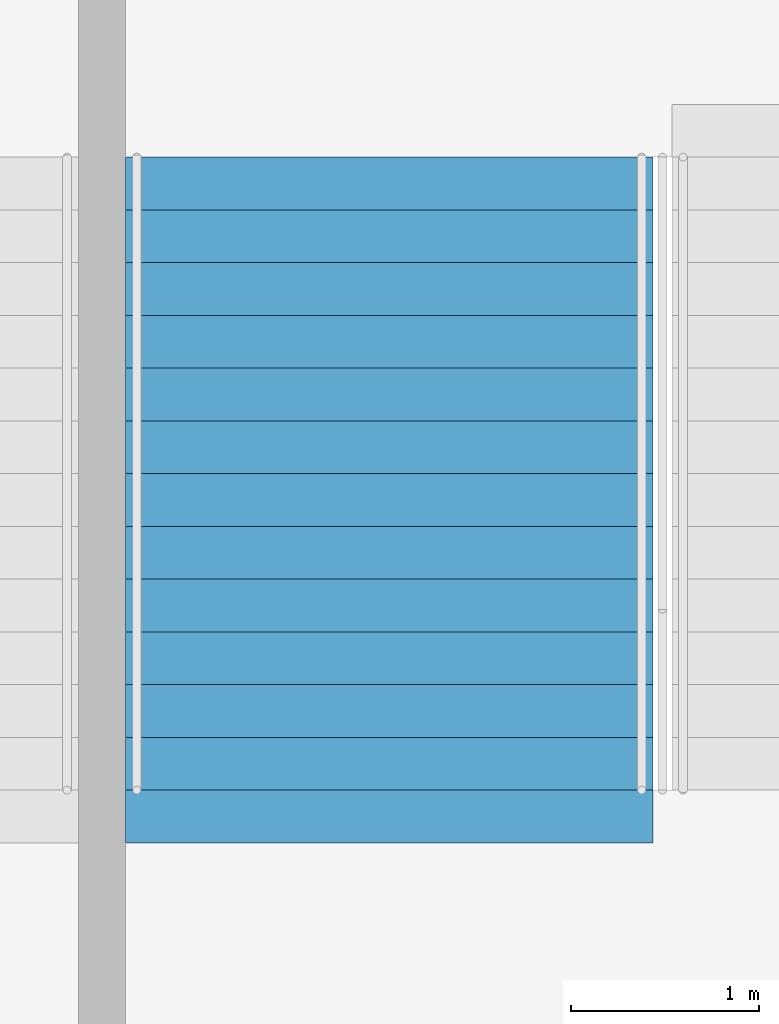
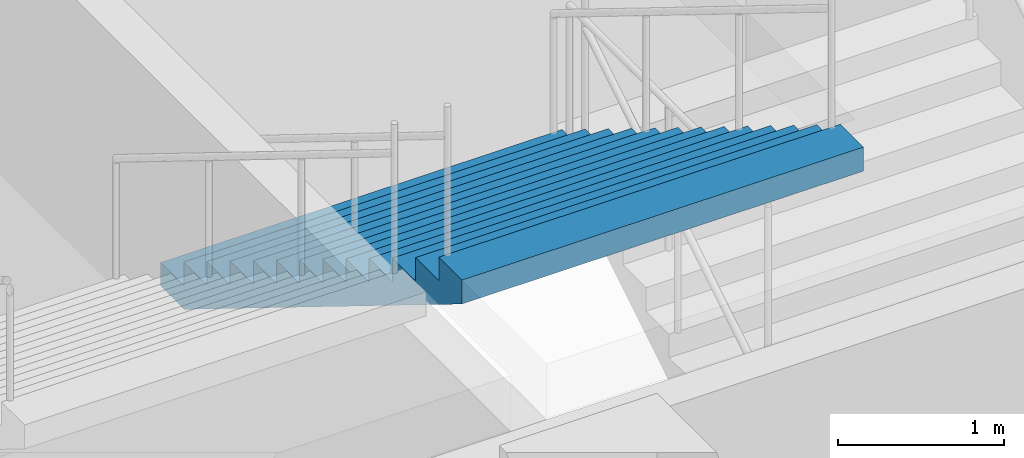
# One storey, part 142 of 177: 1 stair flight, 1 element without a shape of its own.
"""IFC4 building model written with IfcOpenShell, lengths in metres."""

from ifc_helpers import new_model, si_unit, direction, frame, origin, place, context, subcontext, project, spatial, faceted_brep, material, type_object, element, aggregate, save


model = new_model("IFC4")

# Units and contexts
model_context = context("Model", 3, precision=1e-05, world=origin(), true_north=direction((0.0, 1.0)))
body_context = subcontext(model_context, "Body", "Model", "MODEL_VIEW")
ifc_project = project(units=[si_unit("LENGTHUNIT", "METRE"), si_unit("AREAUNIT", "SQUARE_METRE"), si_unit("VOLUMEUNIT", "CUBIC_METRE"), si_unit("PLANEANGLEUNIT", "RADIAN"), si_unit("MASSUNIT", "GRAM", prefix="KILO")], contexts=[model_context])

# Site, building, storey
site_placement = place(None, origin())
site = spatial("IfcSite", under=ifc_project, at=site_placement, CompositionType="ELEMENT")
building_placement = place(site_placement, origin())
building = spatial("IfcBuilding", under=site, at=building_placement, Name="Ogive Plaza Stadium", CompositionType="ELEMENT")
storey_placement = place(building_placement, frame((0.0, 0.0, 18.0)))
storey = spatial("IfcBuildingStorey", under=building, at=storey_placement, Name="L04", CompositionType="ELEMENT", Elevation=18.0)

# Stair, stair flight
ifc_material_1 = material(Name="Concrete C40/50", Category="concrete")
stair_type = type_object("IfcStairType", Name="Exit stair", PredefinedType="STRAIGHT_RUN_STAIR", material=ifc_material_1)
stair_placement = place(storey_placement, origin())
stair = element("IfcStair", 1, at=stair_placement, inside=storey, type_object=stair_type, Name="Exit stair ST32A L04 to L05", PredefinedType="STRAIGHT_RUN_STAIR")
ifc_material_2 = material(Name="Concrete C40/50", Category="concrete")
stair_flight_type = type_object("IfcStairFlightType", Name="Exit stair flight", PredefinedType="STRAIGHT", material=ifc_material_2)
stair_flight_placement = place(storey_placement, frame((-32.47509765625, 98.2099609375, 2.25), z_axis=(0.0, 0.0, 1.0), x_axis=(0.0, -1.0, 0.0)))
stair_flight = element("IfcStairFlight", 2, at=stair_flight_placement, type_object=stair_flight_type, Name="ST32A flight 2", NumberOfRisers=13, NumberOfTreads=12, PredefinedType="STRAIGHT", RiserHeight=0.173076923, TreadLength=0.28, context=body_context, shape_type="Brep", body=[
    faceted_brep([(0.28515625, -1.39990234375, 0.0), (3.639892578125, -1.39990234375, 2.07373046875), (3.639892578125, -1.39990234375, 2.25), (3.360107421875, -1.39990234375, 2.25), (3.360107421875, -1.39990234375, 2.076904296875), (3.080078125, -1.39990234375, 2.076904296875), (3.080078125, -1.39990234375, 1.90380859375), (2.800048828125, -1.39990234375, 1.90380859375), (2.800048828125, -1.39990234375, 1.730712890625), (2.52001953125, -1.39990234375, 1.730712890625), (2.52001953125, -1.39990234375, 1.5576171875), (2.239990234375, -1.39990234375, 1.5576171875), (2.239990234375, -1.39990234375, 1.384521484375), (1.9599609375, -1.39990234375, 1.384521484375), (1.9599609375, -1.39990234375, 1.21142578125), (1.679931640625, -1.39990234375, 1.21142578125), (1.679931640625, -1.39990234375, 1.03857421875), (1.39990234375, -1.39990234375, 1.03857421875), (1.39990234375, -1.39990234375, 0.865478515625), (1.1201171875, -1.39990234375, 0.865478515625), (1.1201171875, -1.39990234375, 0.6923828125), (0.840087890625, -1.39990234375, 0.6923828125), (0.840087890625, -1.39990234375, 0.519287109375), (0.56005859375, -1.39990234375, 0.519287109375), (0.56005859375, -1.39990234375, 0.34619140625), (0.280029296875, -1.39990234375, 0.34619140625), (0.280029296875, -1.39990234375, 0.173095703125), (0.0, -1.39990234375, 0.173095703125), (0.0, -1.39990234375, 0.0), (0.0, 1.39990234375, 0.0), (0.0, 1.39990234375, 0.173095703125), (0.280029296875, 1.39990234375, 0.173095703125), (0.280029296875, 1.39990234375, 0.34619140625), (0.56005859375, 1.39990234375, 0.34619140625), (0.56005859375, 1.39990234375, 0.519287109375), (0.840087890625, 1.39990234375, 0.519287109375), (0.840087890625, 1.39990234375, 0.6923828125), (1.1201171875, 1.39990234375, 0.6923828125), (1.1201171875, 1.39990234375, 0.865478515625), (1.39990234375, 1.39990234375, 0.865478515625), (1.39990234375, 1.39990234375, 1.03857421875), (1.679931640625, 1.39990234375, 1.03857421875), (1.679931640625, 1.39990234375, 1.21142578125), (1.9599609375, 1.39990234375, 1.21142578125), (1.9599609375, 1.39990234375, 1.384521484375), (2.239990234375, 1.39990234375, 1.384521484375), (2.239990234375, 1.39990234375, 1.5576171875), (2.52001953125, 1.39990234375, 1.5576171875), (2.52001953125, 1.39990234375, 1.730712890625), (2.800048828125, 1.39990234375, 1.730712890625), (2.800048828125, 1.39990234375, 1.90380859375), (3.080078125, 1.39990234375, 1.90380859375), (3.080078125, 1.39990234375, 2.076904296875), (3.360107421875, 1.39990234375, 2.076904296875), (3.360107421875, 1.39990234375, 2.25), (3.639892578125, 1.39990234375, 2.25), (3.639892578125, 1.39990234375, 2.07373046875), (0.28515625, 1.39990234375, 0.0), (0.28515625, -1.0888671875, 0.0), (3.639892578125, -1.0888671875, 2.07373046875), (0.28515625, -0.77783203125, 0.0), (3.639892578125, -0.77783203125, 2.07373046875), (0.28515625, -0.466796875, 0.0), (3.639892578125, -0.466796875, 2.07373046875), (0.28515625, -0.155517578125, 0.0), (3.639892578125, -0.155517578125, 2.07373046875), (0.28515625, 0.155517578125, 0.0), (3.639892578125, 0.155517578125, 2.07373046875), (0.28515625, 0.466796875, 0.0), (3.639892578125, 0.466796875, 2.07373046875), (0.28515625, 0.77783203125, 0.0), (3.639892578125, 0.77783203125, 2.07373046875), (0.28515625, 1.0888671875, 0.0), (3.639892578125, 1.0888671875, 2.07373046875), (3.639892578125, -1.0888671875, 2.25), (3.639892578125, -0.77783203125, 2.25), (3.639892578125, -0.466796875, 2.25), (3.639892578125, -0.155517578125, 2.25), (3.639892578125, 0.155517578125, 2.25), (3.639892578125, 0.466796875, 2.25), (3.639892578125, 0.77783203125, 2.25), (3.639892578125, 1.0888671875, 2.25), (3.360107421875, -1.0888671875, 2.25), (3.360107421875, -0.77783203125, 2.25), (3.360107421875, -0.466796875, 2.25), (3.360107421875, -0.155517578125, 2.25), (3.360107421875, 0.155517578125, 2.25), (3.360107421875, 0.466796875, 2.25), (3.360107421875, 0.77783203125, 2.25), (3.360107421875, 1.0888671875, 2.25), (3.360107421875, -1.0888671875, 2.076904296875), (3.360107421875, -0.77783203125, 2.076904296875), (3.360107421875, -0.466796875, 2.076904296875), (3.360107421875, -0.155517578125, 2.076904296875), (3.360107421875, 0.155517578125, 2.076904296875), (3.360107421875, 0.466796875, 2.076904296875), (3.360107421875, 0.77783203125, 2.076904296875), (3.360107421875, 1.0888671875, 2.076904296875), (3.080078125, -1.0888671875, 2.076904296875), (3.080078125, -0.77783203125, 2.076904296875), (3.080078125, -0.466796875, 2.076904296875), (3.080078125, -0.155517578125, 2.076904296875), (3.080078125, 0.155517578125, 2.076904296875), (3.080078125, 0.466796875, 2.076904296875), (3.080078125, 0.77783203125, 2.076904296875), (3.080078125, 1.0888671875, 2.076904296875), (3.080078125, -1.0888671875, 1.90380859375), (3.080078125, -0.77783203125, 1.90380859375), (3.080078125, -0.466796875, 1.90380859375), (3.080078125, -0.155517578125, 1.90380859375), (3.080078125, 0.155517578125, 1.90380859375), (3.080078125, 0.466796875, 1.90380859375), (3.080078125, 0.77783203125, 1.90380859375), (3.080078125, 1.0888671875, 1.90380859375), (2.800048828125, -1.0888671875, 1.90380859375), (2.800048828125, -0.77783203125, 1.90380859375), (2.800048828125, -0.466796875, 1.90380859375), (2.800048828125, -0.155517578125, 1.90380859375), (2.800048828125, 0.155517578125, 1.90380859375), (2.800048828125, 0.466796875, 1.90380859375), (2.800048828125, 0.77783203125, 1.90380859375), (2.800048828125, 1.0888671875, 1.90380859375), (2.800048828125, -1.0888671875, 1.730712890625), (2.800048828125, -0.77783203125, 1.730712890625), (2.800048828125, -0.466796875, 1.730712890625), (2.800048828125, -0.155517578125, 1.730712890625), (2.800048828125, 0.155517578125, 1.730712890625), (2.800048828125, 0.466796875, 1.730712890625), (2.800048828125, 0.77783203125, 1.730712890625), (2.800048828125, 1.0888671875, 1.730712890625), (2.52001953125, -1.0888671875, 1.730712890625), (2.52001953125, -0.77783203125, 1.730712890625), (2.52001953125, -0.466796875, 1.730712890625), (2.52001953125, -0.155517578125, 1.730712890625), (2.52001953125, 0.155517578125, 1.730712890625), (2.52001953125, 0.466796875, 1.730712890625), (2.52001953125, 0.77783203125, 1.730712890625), (2.52001953125, 1.0888671875, 1.730712890625), (2.52001953125, -1.0888671875, 1.5576171875), (2.52001953125, -0.77783203125, 1.5576171875), (2.52001953125, -0.466796875, 1.5576171875), (2.52001953125, -0.155517578125, 1.5576171875), (2.52001953125, 0.155517578125, 1.5576171875), (2.52001953125, 0.466796875, 1.5576171875), (2.52001953125, 0.77783203125, 1.5576171875), (2.52001953125, 1.0888671875, 1.5576171875), (2.239990234375, -1.0888671875, 1.5576171875), (2.239990234375, -0.77783203125, 1.5576171875), (2.239990234375, -0.466796875, 1.5576171875), (2.239990234375, -0.155517578125, 1.5576171875), (2.239990234375, 0.155517578125, 1.5576171875), (2.239990234375, 0.466796875, 1.5576171875), (2.239990234375, 0.77783203125, 1.5576171875), (2.239990234375, 1.0888671875, 1.5576171875), (2.239990234375, -1.0888671875, 1.384521484375), (2.239990234375, -0.77783203125, 1.384521484375), (2.239990234375, -0.466796875, 1.384521484375), (2.239990234375, -0.155517578125, 1.384521484375), (2.239990234375, 0.155517578125, 1.384521484375), (2.239990234375, 0.466796875, 1.384521484375), (2.239990234375, 0.77783203125, 1.384521484375), (2.239990234375, 1.0888671875, 1.384521484375), (1.9599609375, -1.0888671875, 1.384521484375), (1.9599609375, -0.77783203125, 1.384521484375), (1.9599609375, -0.466796875, 1.384521484375), (1.9599609375, -0.155517578125, 1.384521484375), (1.9599609375, 0.155517578125, 1.384521484375), (1.9599609375, 0.466796875, 1.384521484375), (1.9599609375, 0.77783203125, 1.384521484375), (1.9599609375, 1.0888671875, 1.384521484375), (1.9599609375, -1.0888671875, 1.21142578125), (1.9599609375, -0.77783203125, 1.21142578125), (1.9599609375, -0.466796875, 1.21142578125), (1.9599609375, -0.155517578125, 1.21142578125), (1.9599609375, 0.155517578125, 1.21142578125), (1.9599609375, 0.466796875, 1.21142578125), (1.9599609375, 0.77783203125, 1.21142578125), (1.9599609375, 1.0888671875, 1.21142578125), (1.679931640625, -1.0888671875, 1.21142578125), (1.679931640625, -0.77783203125, 1.21142578125), (1.679931640625, -0.466796875, 1.21142578125), (1.679931640625, -0.155517578125, 1.21142578125), (1.679931640625, 0.155517578125, 1.21142578125), (1.679931640625, 0.466796875, 1.21142578125), (1.679931640625, 0.77783203125, 1.21142578125), (1.679931640625, 1.0888671875, 1.21142578125), (1.679931640625, -1.0888671875, 1.03857421875), (1.679931640625, -0.77783203125, 1.03857421875), (1.679931640625, -0.466796875, 1.03857421875), (1.679931640625, -0.155517578125, 1.03857421875), (1.679931640625, 0.155517578125, 1.03857421875), (1.679931640625, 0.466796875, 1.03857421875), (1.679931640625, 0.77783203125, 1.03857421875), (1.679931640625, 1.0888671875, 1.03857421875), (1.39990234375, -1.0888671875, 1.03857421875), (1.39990234375, -0.77783203125, 1.03857421875), (1.39990234375, -0.466796875, 1.03857421875), (1.39990234375, -0.155517578125, 1.03857421875), (1.39990234375, 0.155517578125, 1.03857421875), (1.39990234375, 0.466796875, 1.03857421875), (1.39990234375, 0.77783203125, 1.03857421875), (1.39990234375, 1.0888671875, 1.03857421875), (1.39990234375, -1.0888671875, 0.865478515625), (1.39990234375, -0.77783203125, 0.865478515625), (1.39990234375, -0.466796875, 0.865478515625), (1.39990234375, -0.155517578125, 0.865478515625), (1.39990234375, 0.155517578125, 0.865478515625), (1.39990234375, 0.466796875, 0.865478515625), (1.39990234375, 0.77783203125, 0.865478515625), (1.39990234375, 1.0888671875, 0.865478515625), (1.1201171875, -1.0888671875, 0.865478515625), (1.1201171875, -0.77783203125, 0.865478515625), (1.1201171875, -0.466796875, 0.865478515625), (1.1201171875, -0.155517578125, 0.865478515625), (1.1201171875, 0.155517578125, 0.865478515625), (1.1201171875, 0.466796875, 0.865478515625), (1.1201171875, 0.77783203125, 0.865478515625), (1.1201171875, 1.0888671875, 0.865478515625), (1.1201171875, -1.0888671875, 0.6923828125), (1.1201171875, -0.77783203125, 0.6923828125), (1.1201171875, -0.466796875, 0.6923828125), (1.1201171875, -0.155517578125, 0.6923828125), (1.1201171875, 0.155517578125, 0.6923828125), (1.1201171875, 0.466796875, 0.6923828125), (1.1201171875, 0.77783203125, 0.6923828125), (1.1201171875, 1.0888671875, 0.6923828125), (0.840087890625, -1.0888671875, 0.6923828125), (0.840087890625, -0.77783203125, 0.6923828125), (0.840087890625, -0.466796875, 0.6923828125), (0.840087890625, -0.155517578125, 0.6923828125), (0.840087890625, 0.155517578125, 0.6923828125), (0.840087890625, 0.466796875, 0.6923828125), (0.840087890625, 0.77783203125, 0.6923828125), (0.840087890625, 1.0888671875, 0.6923828125), (0.840087890625, -1.0888671875, 0.519287109375), (0.840087890625, -0.77783203125, 0.519287109375), (0.840087890625, -0.466796875, 0.519287109375), (0.840087890625, -0.155517578125, 0.519287109375), (0.840087890625, 0.155517578125, 0.519287109375), (0.840087890625, 0.466796875, 0.519287109375), (0.840087890625, 0.77783203125, 0.519287109375), (0.840087890625, 1.0888671875, 0.519287109375), (0.56005859375, -1.0888671875, 0.519287109375), (0.56005859375, -0.77783203125, 0.519287109375), (0.56005859375, -0.466796875, 0.519287109375), (0.56005859375, -0.155517578125, 0.519287109375), (0.56005859375, 0.155517578125, 0.519287109375), (0.56005859375, 0.466796875, 0.519287109375), (0.56005859375, 0.77783203125, 0.519287109375), (0.56005859375, 1.0888671875, 0.519287109375), (0.56005859375, -1.0888671875, 0.34619140625), (0.56005859375, -0.77783203125, 0.34619140625), (0.56005859375, -0.466796875, 0.34619140625), (0.56005859375, -0.155517578125, 0.34619140625), (0.56005859375, 0.155517578125, 0.34619140625), (0.56005859375, 0.466796875, 0.34619140625), (0.56005859375, 0.77783203125, 0.34619140625), (0.56005859375, 1.0888671875, 0.34619140625), (0.280029296875, -1.0888671875, 0.34619140625), (0.280029296875, -0.77783203125, 0.34619140625), (0.280029296875, -0.466796875, 0.34619140625), (0.280029296875, -0.155517578125, 0.34619140625), (0.280029296875, 0.155517578125, 0.34619140625), (0.280029296875, 0.466796875, 0.34619140625), (0.280029296875, 0.77783203125, 0.34619140625), (0.280029296875, 1.0888671875, 0.34619140625), (0.280029296875, -1.0888671875, 0.173095703125), (0.280029296875, -0.77783203125, 0.173095703125), (0.280029296875, -0.466796875, 0.173095703125), (0.280029296875, -0.155517578125, 0.173095703125), (0.280029296875, 0.155517578125, 0.173095703125), (0.280029296875, 0.466796875, 0.173095703125), (0.280029296875, 0.77783203125, 0.173095703125), (0.280029296875, 1.0888671875, 0.173095703125), (0.0, -1.0888671875, 0.173095703125), (0.0, -0.77783203125, 0.173095703125), (0.0, -0.466796875, 0.173095703125), (0.0, -0.155517578125, 0.173095703125), (0.0, 0.155517578125, 0.173095703125), (0.0, 0.466796875, 0.173095703125), (0.0, 0.77783203125, 0.173095703125), (0.0, 1.0888671875, 0.173095703125), (0.0, -1.0888671875, 0.0), (0.0, -0.77783203125, 0.0), (0.0, -0.466796875, 0.0), (0.0, -0.155517578125, 0.0), (0.0, 0.155517578125, 0.0), (0.0, 0.466796875, 0.0), (0.0, 0.77783203125, 0.0), (0.0, 1.0888671875, 0.0)], [[[0, 1, 2, 3, 4, 5, 6, 7, 8, 9, 10, 11, 12, 13, 14, 15, 16, 17, 18, 19, 20, 21, 22, 23, 24, 25, 26, 27, 28]], [[29, 30, 31, 32, 33, 34, 35, 36, 37, 38, 39, 40, 41, 42, 43, 44, 45, 46, 47, 48, 49, 50, 51, 52, 53, 54, 55, 56, 57]], [[0, 58, 59, 1]], [[58, 60, 61, 59]], [[60, 62, 63, 61]], [[62, 64, 65, 63]], [[64, 66, 67, 65]], [[66, 68, 69, 67]], [[68, 70, 71, 69]], [[70, 72, 73, 71]], [[72, 57, 56, 73]], [[1, 59, 74, 2]], [[59, 61, 75, 74]], [[61, 63, 76, 75]], [[63, 65, 77, 76]], [[65, 67, 78, 77]], [[67, 69, 79, 78]], [[69, 71, 80, 79]], [[71, 73, 81, 80]], [[73, 56, 55, 81]], [[2, 74, 82, 3]], [[74, 75, 83, 82]], [[75, 76, 84, 83]], [[76, 77, 85, 84]], [[77, 78, 86, 85]], [[78, 79, 87, 86]], [[79, 80, 88, 87]], [[80, 81, 89, 88]], [[81, 55, 54, 89]], [[3, 82, 90, 4]], [[82, 83, 91, 90]], [[83, 84, 92, 91]], [[84, 85, 93, 92]], [[85, 86, 94, 93]], [[86, 87, 95, 94]], [[87, 88, 96, 95]], [[88, 89, 97, 96]], [[89, 54, 53, 97]], [[4, 90, 98, 5]], [[90, 91, 99, 98]], [[91, 92, 100, 99]], [[92, 93, 101, 100]], [[93, 94, 102, 101]], [[94, 95, 103, 102]], [[95, 96, 104, 103]], [[96, 97, 105, 104]], [[97, 53, 52, 105]], [[5, 98, 106, 6]], [[98, 99, 107, 106]], [[99, 100, 108, 107]], [[100, 101, 109, 108]], [[101, 102, 110, 109]], [[102, 103, 111, 110]], [[103, 104, 112, 111]], [[104, 105, 113, 112]], [[105, 52, 51, 113]], [[6, 106, 114, 7]], [[106, 107, 115, 114]], [[107, 108, 116, 115]], [[108, 109, 117, 116]], [[109, 110, 118, 117]], [[110, 111, 119, 118]], [[111, 112, 120, 119]], [[112, 113, 121, 120]], [[113, 51, 50, 121]], [[7, 114, 122, 8]], [[114, 115, 123, 122]], [[115, 116, 124, 123]], [[116, 117, 125, 124]], [[117, 118, 126, 125]], [[118, 119, 127, 126]], [[119, 120, 128, 127]], [[120, 121, 129, 128]], [[121, 50, 49, 129]], [[8, 122, 130, 9]], [[122, 123, 131, 130]], [[123, 124, 132, 131]], [[124, 125, 133, 132]], [[125, 126, 134, 133]], [[126, 127, 135, 134]], [[127, 128, 136, 135]], [[128, 129, 137, 136]], [[129, 49, 48, 137]], [[9, 130, 138, 10]], [[130, 131, 139, 138]], [[131, 132, 140, 139]], [[132, 133, 141, 140]], [[133, 134, 142, 141]], [[134, 135, 143, 142]], [[135, 136, 144, 143]], [[136, 137, 145, 144]], [[137, 48, 47, 145]], [[10, 138, 146, 11]], [[138, 139, 147, 146]], [[139, 140, 148, 147]], [[140, 141, 149, 148]], [[141, 142, 150, 149]], [[142, 143, 151, 150]], [[143, 144, 152, 151]], [[144, 145, 153, 152]], [[145, 47, 46, 153]], [[11, 146, 154, 12]], [[146, 147, 155, 154]], [[147, 148, 156, 155]], [[148, 149, 157, 156]], [[149, 150, 158, 157]], [[150, 151, 159, 158]], [[151, 152, 160, 159]], [[152, 153, 161, 160]], [[153, 46, 45, 161]], [[12, 154, 162, 13]], [[154, 155, 163, 162]], [[155, 156, 164, 163]], [[156, 157, 165, 164]], [[157, 158, 166, 165]], [[158, 159, 167, 166]], [[159, 160, 168, 167]], [[160, 161, 169, 168]], [[161, 45, 44, 169]], [[13, 162, 170, 14]], [[162, 163, 171, 170]], [[163, 164, 172, 171]], [[164, 165, 173, 172]], [[165, 166, 174, 173]], [[166, 167, 175, 174]], [[167, 168, 176, 175]], [[168, 169, 177, 176]], [[169, 44, 43, 177]], [[14, 170, 178, 15]], [[170, 171, 179, 178]], [[171, 172, 180, 179]], [[172, 173, 181, 180]], [[173, 174, 182, 181]], [[174, 175, 183, 182]], [[175, 176, 184, 183]], [[176, 177, 185, 184]], [[177, 43, 42, 185]], [[15, 178, 186, 16]], [[178, 179, 187, 186]], [[179, 180, 188, 187]], [[180, 181, 189, 188]], [[181, 182, 190, 189]], [[182, 183, 191, 190]], [[183, 184, 192, 191]], [[184, 185, 193, 192]], [[185, 42, 41, 193]], [[16, 186, 194, 17]], [[186, 187, 195, 194]], [[187, 188, 196, 195]], [[188, 189, 197, 196]], [[189, 190, 198, 197]], [[190, 191, 199, 198]], [[191, 192, 200, 199]], [[192, 193, 201, 200]], [[193, 41, 40, 201]], [[17, 194, 202, 18]], [[194, 195, 203, 202]], [[195, 196, 204, 203]], [[196, 197, 205, 204]], [[197, 198, 206, 205]], [[198, 199, 207, 206]], [[199, 200, 208, 207]], [[200, 201, 209, 208]], [[201, 40, 39, 209]], [[18, 202, 210, 19]], [[202, 203, 211, 210]], [[203, 204, 212, 211]], [[204, 205, 213, 212]], [[205, 206, 214, 213]], [[206, 207, 215, 214]], [[207, 208, 216, 215]], [[208, 209, 217, 216]], [[209, 39, 38, 217]], [[19, 210, 218, 20]], [[210, 211, 219, 218]], [[211, 212, 220, 219]], [[212, 213, 221, 220]], [[213, 214, 222, 221]], [[214, 215, 223, 222]], [[215, 216, 224, 223]], [[216, 217, 225, 224]], [[217, 38, 37, 225]], [[20, 218, 226, 21]], [[218, 219, 227, 226]], [[219, 220, 228, 227]], [[220, 221, 229, 228]], [[221, 222, 230, 229]], [[222, 223, 231, 230]], [[223, 224, 232, 231]], [[224, 225, 233, 232]], [[225, 37, 36, 233]], [[21, 226, 234, 22]], [[226, 227, 235, 234]], [[227, 228, 236, 235]], [[228, 229, 237, 236]], [[229, 230, 238, 237]], [[230, 231, 239, 238]], [[231, 232, 240, 239]], [[232, 233, 241, 240]], [[233, 36, 35, 241]], [[22, 234, 242, 23]], [[234, 235, 243, 242]], [[235, 236, 244, 243]], [[236, 237, 245, 244]], [[237, 238, 246, 245]], [[238, 239, 247, 246]], [[239, 240, 248, 247]], [[240, 241, 249, 248]], [[241, 35, 34, 249]], [[23, 242, 250, 24]], [[242, 243, 251, 250]], [[243, 244, 252, 251]], [[244, 245, 253, 252]], [[245, 246, 254, 253]], [[246, 247, 255, 254]], [[247, 248, 256, 255]], [[248, 249, 257, 256]], [[249, 34, 33, 257]], [[24, 250, 258, 25]], [[250, 251, 259, 258]], [[251, 252, 260, 259]], [[252, 253, 261, 260]], [[253, 254, 262, 261]], [[254, 255, 263, 262]], [[255, 256, 264, 263]], [[256, 257, 265, 264]], [[257, 33, 32, 265]], [[25, 258, 266, 26]], [[258, 259, 267, 266]], [[259, 260, 268, 267]], [[260, 261, 269, 268]], [[261, 262, 270, 269]], [[262, 263, 271, 270]], [[263, 264, 272, 271]], [[264, 265, 273, 272]], [[265, 32, 31, 273]], [[26, 266, 274, 27]], [[266, 267, 275, 274]], [[267, 268, 276, 275]], [[268, 269, 277, 276]], [[269, 270, 278, 277]], [[270, 271, 279, 278]], [[271, 272, 280, 279]], [[272, 273, 281, 280]], [[273, 31, 30, 281]], [[27, 274, 282, 28]], [[274, 275, 283, 282]], [[275, 276, 284, 283]], [[276, 277, 285, 284]], [[277, 278, 286, 285]], [[278, 279, 287, 286]], [[279, 280, 288, 287]], [[280, 281, 289, 288]], [[281, 30, 29, 289]], [[28, 282, 58, 0]], [[282, 283, 60, 58]], [[283, 284, 62, 60]], [[284, 285, 64, 62]], [[285, 286, 66, 64]], [[286, 287, 68, 66]], [[287, 288, 70, 68]], [[288, 289, 72, 70]], [[289, 29, 57, 72]]]),
])
aggregate(stair, [stair_flight])

save(model, "model.ifc")
